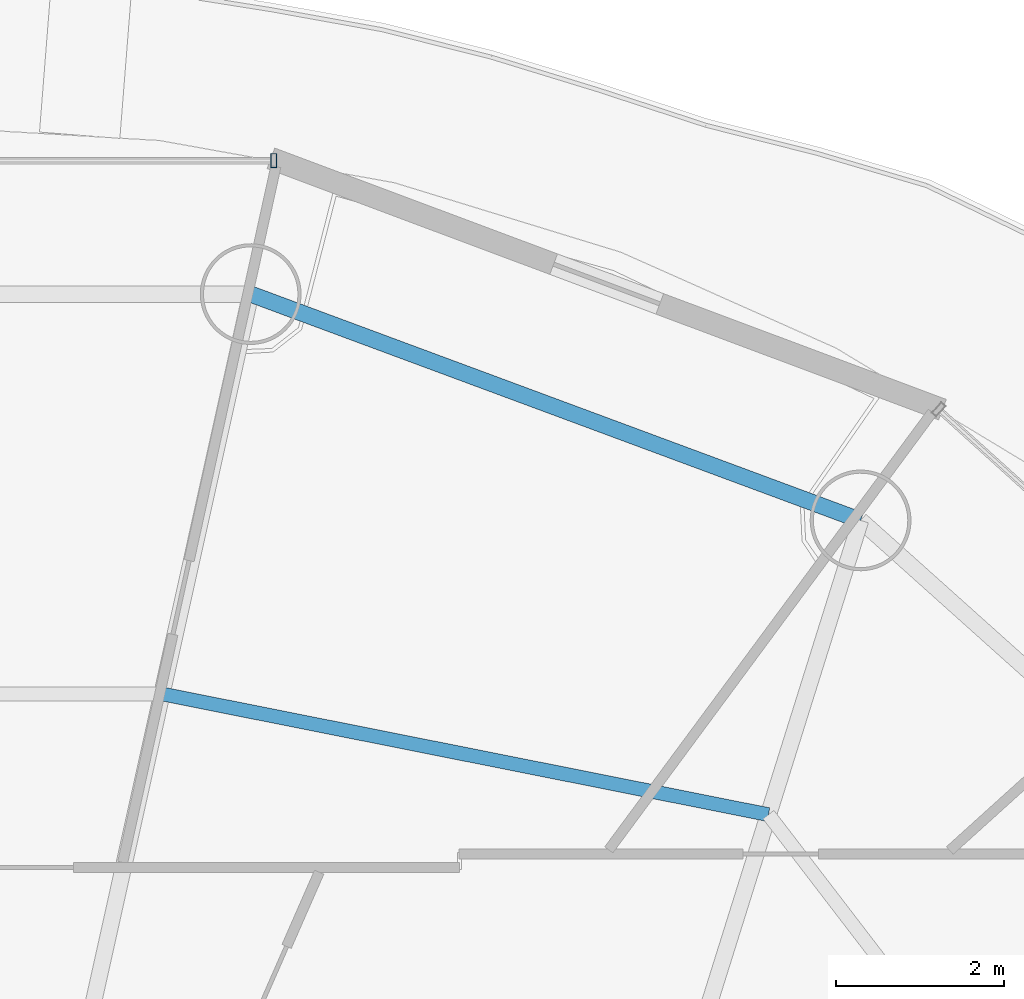
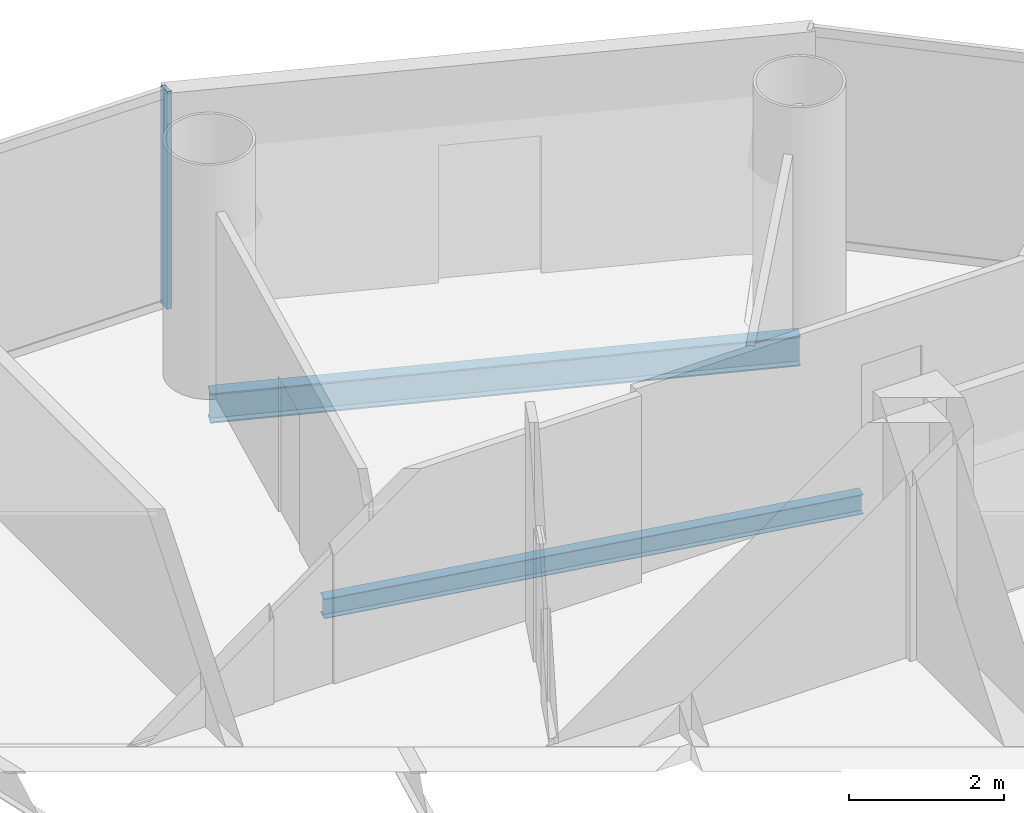
# One storey, part 17 of 27: 2 beams, 1 member, 1 element without a shape of its own.
"""IFC4 building model written with IfcOpenShell, lengths in metres."""

from ifc_helpers import new_model, si_unit, direction, frame, origin, origin_2d, place, context, subcontext, project, spatial, hollow_rectangle, i_section, extrude, source, transform, mapped, material, material_profile, profile_set, type_object, element, aggregate, save


model = new_model("IFC4")

# Units and contexts
model_context = context("Model", 3, precision=1e-05, world=origin(), true_north=direction((-0.2419218956, 0.970295726276)))
body_context = subcontext(model_context, "Body", "Model", "MODEL_VIEW")
ifc_project = project(units=[si_unit("LENGTHUNIT", "METRE"), si_unit("AREAUNIT", "SQUARE_METRE"), si_unit("VOLUMEUNIT", "CUBIC_METRE"), si_unit("PLANEANGLEUNIT", "RADIAN"), si_unit("MASSUNIT", "GRAM", prefix="KILO")], contexts=[model_context])

# Site, building, storey
site_placement = place(None, origin())
site = spatial("IfcSite", under=ifc_project, at=site_placement, CompositionType="ELEMENT")
building_placement = place(site_placement, origin())
building = spatial("IfcBuilding", under=site, at=building_placement, Name="Cobrevalo Terracotta Tower", CompositionType="ELEMENT")
storey_placement = place(building_placement, frame((0.0, 0.0, 194.89990234375)))
storey = spatial("IfcBuildingStorey", under=building, at=storey_placement, Name="L51", CompositionType="ELEMENT", Elevation=194.89990234375)

# Beams
ifc_material_1 = material(Name="Steel S355", Category="steel")
ifc_material_profile_1 = material_profile(ifc_material_1, i_section(OverallWidth=0.1650390625, OverallDepth=0.31005859375, WebThickness=0.005859375, FlangeThickness=0.009765625, at=origin_2d()), Name="W 310x38.7")
ifc_profile_set_1 = profile_set([ifc_material_profile_1], Name="Steel S355")
beam_type_1 = type_object("IfcBeamType", Name="Structural Joist W 310x38.7 (Steel S355)", PredefinedType="JOIST", material=ifc_profile_set_1)
beam_1_placement = place(storey_placement, frame((48.097412109375, 38.303955078125, -0.419921875), z_axis=(-0.980762562197, 0.195204499418, 0.0), x_axis=(-0.195204499418, -0.980762562197, 0.0)))
element("IfcBeam", 1, at=beam_1_placement, inside=storey, type_object=beam_type_1, Name="L51 circumferential secondary floor joist 03", PredefinedType="JOIST", context=body_context, shape_type="SweptSolid", body=[
    extrude(i_section(OverallWidth=0.1650390625, OverallDepth=0.31005859375, WebThickness=0.005859375, FlangeThickness=0.009765625, at=origin_2d()), origin(), (0.0, 0.0, 1.0), 7.365234375),
])
ifc_material_profile_2 = material_profile(ifc_material_1, i_section(OverallWidth=0.194091796875, OverallDepth=0.468994140625, WebThickness=0.011474609375, FlangeThickness=0.0205078125, at=origin_2d()), Name="W 460x106")
ifc_profile_set_2 = profile_set([ifc_material_profile_2], Name="Steel S355")
beam_type_2 = type_object("IfcBeamType", Name="Structural Spandrel W 460x106 (Steel S355)", PredefinedType="SPANDREL", material=ifc_profile_set_2)
beam_2_placement = place(storey_placement, frame((49.19482421875, 41.80810546875, -0.49951171875), z_axis=(-0.937545996665, 0.347861328892, 0.0), x_axis=(-0.347861328892, -0.937545996665, 0.0)))
element("IfcBeam", 2, at=beam_2_placement, inside=storey, type_object=beam_type_2, Name="L51 perimeter ring spandrel 03", PredefinedType="SPANDREL", context=body_context, shape_type="SweptSolid", body=[
    extrude(i_section(OverallWidth=0.194091796875, OverallDepth=0.468994140625, WebThickness=0.011474609375, FlangeThickness=0.0205078125, at=origin_2d()), origin(), (0.0, 0.0, 1.0), 7.74755859375),
])

# Curtain wall, member
ifc_material_2 = material(Name="Anodized aluminium", Category="aluminium")
curtain_wall_type = type_object("IfcCurtainWallType", Name="Mid-tower high-wind unitised curtain wall CW-U2", PredefinedType="NOTDEFINED", material=ifc_material_2)
curtain_wall_placement = place(storey_placement, origin())
curtain_wall = element("IfcCurtainWall", 3, at=curtain_wall_placement, inside=storey, type_object=curtain_wall_type, Name="L51 curtain wall CW-L51-S04", PredefinedType="NOTDEFINED")
ifc_material_profile_3 = material_profile(ifc_material_2, hollow_rectangle(XDim=0.070068359375, YDim=0.169921875, WallThickness=0.00439453125, at=origin_2d()), Name="CWM 70x170")
ifc_profile_set_3 = profile_set([ifc_material_profile_3], Name="Anodized aluminium")
member_type = type_object("IfcMemberType", Name="Upper tower unitised mullion 70x170", PredefinedType="MULLION", material=ifc_profile_set_3)
shared_shape = source(origin(), body_context, "Body", "SweptSolid", [
    extrude(hollow_rectangle(XDim=0.070068359375, YDim=0.169921875, WallThickness=0.00439453125, at=origin_2d()), origin(), (0.0, 0.0, 1.0), 3.43505859375),
])
member_placement = place(storey_placement, frame((42.20703125, 46.092041015625, 0.0), z_axis=(0.0, 0.0, 1.0), x_axis=(-1.0, 0.0, 0.0)))
member = element("IfcMember", 4, at=member_placement, type_object=member_type, Name="CW-L51-S04 vertical mullion 01", PredefinedType="MULLION", context=body_context, shape_type="MappedRepresentation", body=[
    mapped(shared_shape, transform((0.0, 0.0, 0.0), scale=1.0)),
])
aggregate(curtain_wall, [member])

save(model, "model.ifc")
